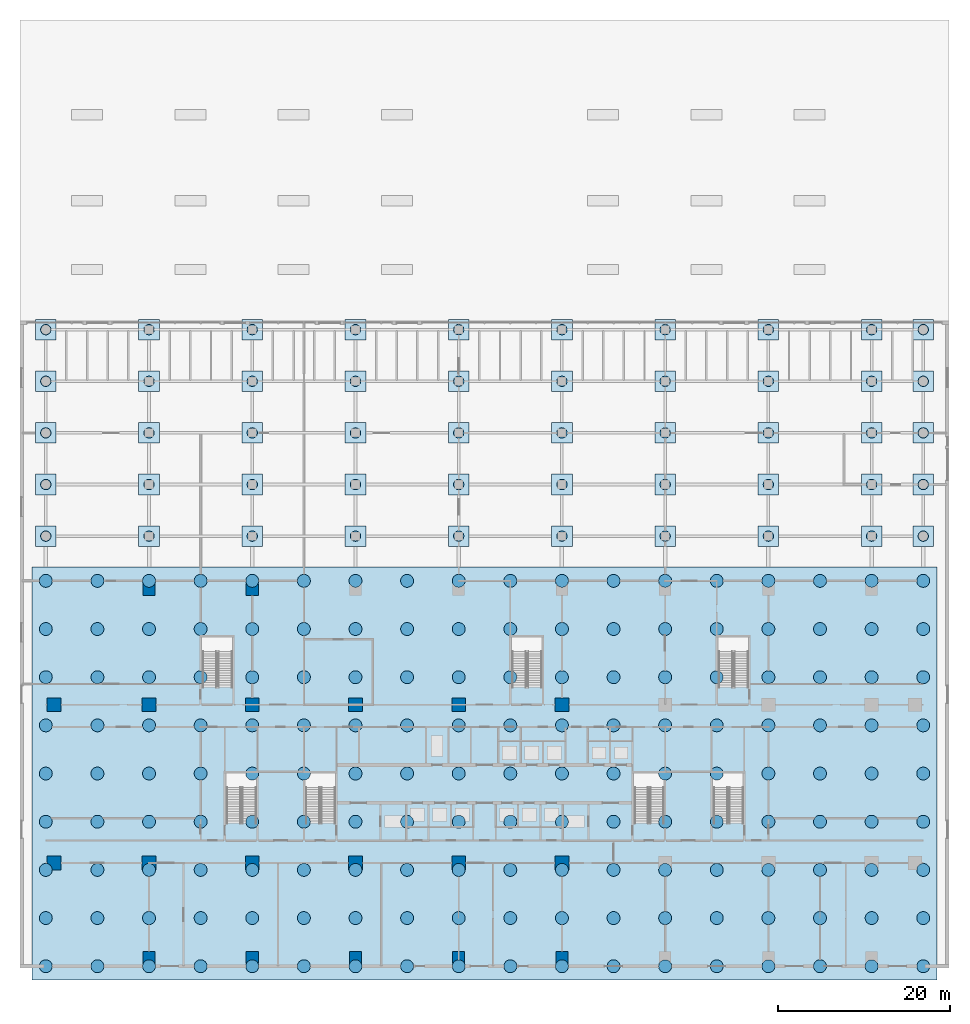
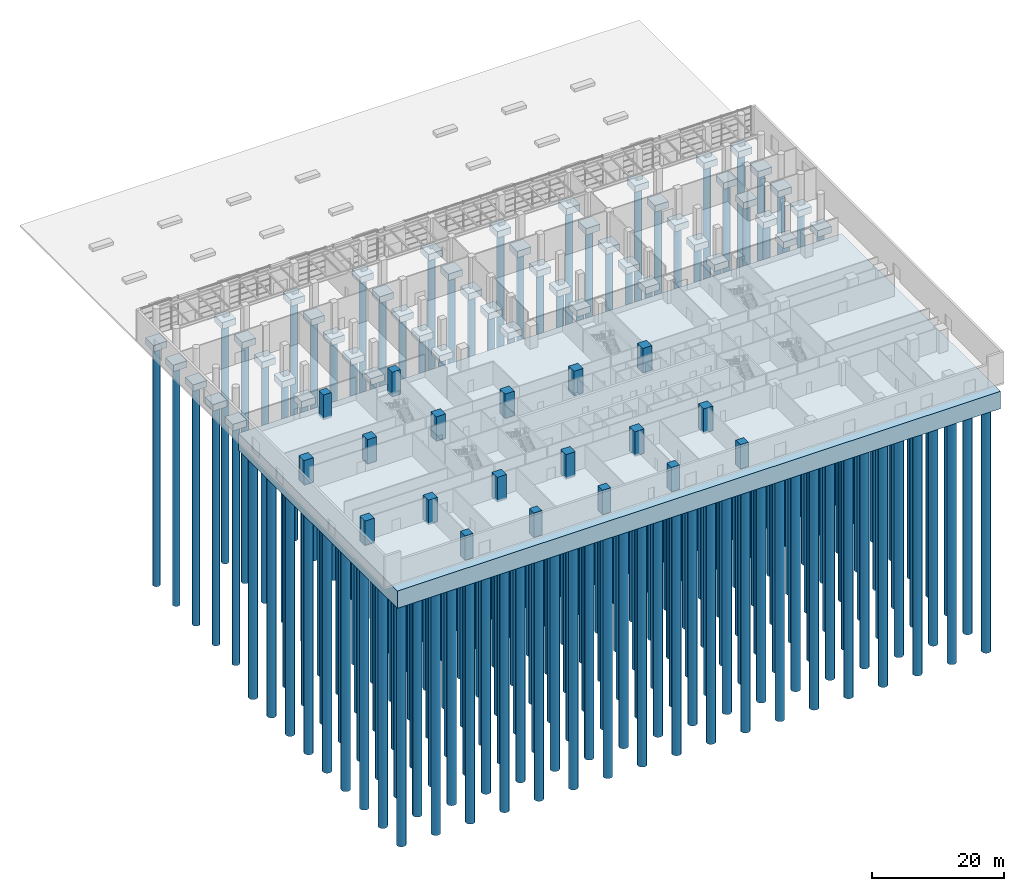
# One storey, part 1 of 27: 212 piles, 51 footings, 19 columns.
"""IFC4 building model written with IfcOpenShell, lengths in metres."""

from ifc_helpers import new_model, si_unit, direction, frame, origin, origin_2d, place, context, subcontext, project, spatial, polyline, rectangle, circle, outline, extrude, source, transform, mapped, material, layer, layer_set, material_profile, profile_set, type_object, element, save


model = new_model("IFC4")

# Units and contexts
model_context = context("Model", 3, precision=1e-05, world=origin(), true_north=direction((0.0, 1.0)))
body_context = subcontext(model_context, "Body", "Model", "MODEL_VIEW")
ifc_project = project(units=[si_unit("LENGTHUNIT", "METRE"), si_unit("AREAUNIT", "SQUARE_METRE"), si_unit("VOLUMEUNIT", "CUBIC_METRE"), si_unit("PLANEANGLEUNIT", "RADIAN"), si_unit("MASSUNIT", "GRAM", prefix="KILO")], contexts=[model_context])

# Site, building, storey
site_placement = place(None, origin())
site = spatial("IfcSite", under=ifc_project, at=site_placement, CompositionType="ELEMENT")
building_placement = place(site_placement, origin())
building = spatial("IfcBuilding", under=site, at=building_placement, Name="Poui Terraces", CompositionType="ELEMENT")
storey_placement = place(building_placement, origin())
storey = spatial("IfcBuildingStorey", under=building, at=storey_placement, Name="L00", CompositionType="ELEMENT", Elevation=0.0)

# Piles
ifc_material_1 = material(Name="Concrete 50 MPa", Category="concrete")
ifc_material_profile_1 = material_profile(ifc_material_1, circle(Radius=0.60009765625, at=origin_2d()), Name="RC D1200")
ifc_profile_set_1 = profile_set([ifc_material_profile_1], Name="Concrete 50 MPa")
pile_type_1 = type_object("IfcPileType", Name="BORED PILE 1200 50MPa", PredefinedType="BORED", material=ifc_profile_set_1)
for number, where, z_axis, x_axis, name in (
    (1, (0.0, 74.0, -1.5), (0.0, 0.0, -1.0), (1.0, 0.0, 0.0), "BORED PILE"),
    (2, (12.0, 74.0, -1.5), (0.0, 0.0, -1.0), (1.0, 0.0, 0.0), "BORED PILE"),
    (3, (24.0, 74.0, -1.5), (0.0, 0.0, -1.0), (1.0, 0.0, 0.0), "BORED PILE"),
    (4, (36.0, 74.0, -1.5), (0.0, 0.0, -1.0), (1.0, 0.0, 0.0), "BORED PILE"),
    (5, (48.0, 74.0, -1.5), (0.0, 0.0, -1.0), (1.0, 0.0, 0.0), "BORED PILE"),
    (6, (60.0, 74.0, -1.5), (0.0, 0.0, -1.0), (1.0, 0.0, 0.0), "BORED PILE"),
    (7, (72.0, 74.0, -1.5), (0.0, 0.0, -1.0), (1.0, 0.0, 0.0), "BORED PILE"),
    (8, (84.0, 74.0, -1.5), (0.0, 0.0, -1.0), (1.0, 0.0, 0.0), "BORED PILE"),
    (9, (96.0, 74.0, -1.5), (0.0, 0.0, -1.0), (1.0, 0.0, 0.0), "BORED PILE"),
    (10, (102.0, 74.0, -1.5), (0.0, 0.0, -1.0), (1.0, 0.0, 0.0), "BORED PILE"),
    (11, (0.0, 68.0, -1.5), (0.0, 0.0, -1.0), (1.0, 0.0, 0.0), "BORED PILE"),
    (12, (12.0, 68.0, -1.5), (0.0, 0.0, -1.0), (1.0, 0.0, 0.0), "BORED PILE"),
    (13, (24.0, 68.0, -1.5), (0.0, 0.0, -1.0), (1.0, 0.0, 0.0), "BORED PILE"),
    (14, (36.0, 68.0, -1.5), (0.0, 0.0, -1.0), (1.0, 0.0, 0.0), "BORED PILE"),
    (15, (48.0, 68.0, -1.5), (0.0, 0.0, -1.0), (1.0, 0.0, 0.0), "BORED PILE"),
    (16, (60.0, 68.0, -1.5), (0.0, 0.0, -1.0), (1.0, 0.0, 0.0), "BORED PILE"),
    (17, (72.0, 68.0, -1.5), (0.0, 0.0, -1.0), (1.0, 0.0, 0.0), "BORED PILE"),
    (18, (84.0, 68.0, -1.5), (0.0, 0.0, -1.0), (1.0, 0.0, 0.0), "BORED PILE"),
    (19, (96.0, 68.0, -1.5), (0.0, 0.0, -1.0), (1.0, 0.0, 0.0), "BORED PILE"),
    (20, (102.0, 68.0, -1.5), (0.0, 0.0, -1.0), (1.0, 0.0, 0.0), "BORED PILE"),
    (21, (0.0, 62.0, -1.5), (0.0, 0.0, -1.0), (1.0, 0.0, 0.0), "BORED PILE"),
    (22, (12.0, 62.0, -1.5), (0.0, 0.0, -1.0), (1.0, 0.0, 0.0), "BORED PILE"),
    (23, (24.0, 62.0, -1.5), (0.0, 0.0, -1.0), (1.0, 0.0, 0.0), "BORED PILE"),
    (24, (36.0, 62.0, -1.5), (0.0, 0.0, -1.0), (1.0, 0.0, 0.0), "BORED PILE"),
    (25, (48.0, 62.0, -1.5), (0.0, 0.0, -1.0), (1.0, 0.0, 0.0), "BORED PILE"),
    (26, (60.0, 62.0, -1.5), (0.0, 0.0, -1.0), (1.0, 0.0, 0.0), "BORED PILE"),
    (27, (72.0, 62.0, -1.5), (0.0, 0.0, -1.0), (1.0, 0.0, 0.0), "BORED PILE"),
    (28, (84.0, 62.0, -1.5), (0.0, 0.0, -1.0), (1.0, 0.0, 0.0), "BORED PILE"),
    (29, (96.0, 62.0, -1.5), (0.0, 0.0, -1.0), (1.0, 0.0, 0.0), "BORED PILE"),
    (30, (102.0, 62.0, -1.5), (0.0, 0.0, -1.0), (1.0, 0.0, 0.0), "BORED PILE"),
    (31, (0.0, 56.0, -1.5), (0.0, 0.0, -1.0), (1.0, 0.0, 0.0), "BORED PILE"),
    (32, (12.0, 56.0, -1.5), (0.0, 0.0, -1.0), (1.0, 0.0, 0.0), "BORED PILE"),
    (33, (24.0, 56.0, -1.5), (0.0, 0.0, -1.0), (1.0, 0.0, 0.0), "BORED PILE"),
    (34, (36.0, 56.0, -1.5), (0.0, 0.0, -1.0), (1.0, 0.0, 0.0), "BORED PILE"),
    (35, (48.0, 56.0, -1.5), (0.0, 0.0, -1.0), (1.0, 0.0, 0.0), "BORED PILE"),
    (36, (60.0, 56.0, -1.5), (0.0, 0.0, -1.0), (1.0, 0.0, 0.0), "BORED PILE"),
    (37, (72.0, 56.0, -1.5), (0.0, 0.0, -1.0), (1.0, 0.0, 0.0), "BORED PILE"),
    (38, (84.0, 56.0, -1.5), (0.0, 0.0, -1.0), (1.0, 0.0, 0.0), "BORED PILE"),
    (39, (96.0, 56.0, -1.5), (0.0, 0.0, -1.0), (1.0, 0.0, 0.0), "BORED PILE"),
    (40, (102.0, 56.0, -1.5), (0.0, 0.0, -1.0), (1.0, 0.0, 0.0), "BORED PILE"),
    (41, (0.0, 50.0, -1.5), (0.0, 0.0, -1.0), (1.0, 0.0, 0.0), "BORED PILE"),
    (42, (12.0, 50.0, -1.5), (0.0, 0.0, -1.0), (1.0, 0.0, 0.0), "BORED PILE"),
    (43, (24.0, 50.0, -1.5), (0.0, 0.0, -1.0), (1.0, 0.0, 0.0), "BORED PILE"),
    (44, (36.0, 50.0, -1.5), (0.0, 0.0, -1.0), (1.0, 0.0, 0.0), "BORED PILE"),
    (45, (48.0, 50.0, -1.5), (0.0, 0.0, -1.0), (1.0, 0.0, 0.0), "BORED PILE"),
    (46, (60.0, 50.0, -1.5), (0.0, 0.0, -1.0), (1.0, 0.0, 0.0), "BORED PILE"),
    (47, (72.0, 50.0, -1.5), (0.0, 0.0, -1.0), (1.0, 0.0, 0.0), "BORED PILE"),
    (48, (84.0, 50.0, -1.5), (0.0, 0.0, -1.0), (1.0, 0.0, 0.0), "BORED PILE"),
    (49, (96.0, 50.0, -1.5), (0.0, 0.0, -1.0), (1.0, 0.0, 0.0), "BORED PILE"),
    (50, (102.0, 50.0, -1.5), (0.0, 0.0, -1.0), (1.0, 0.0, 0.0), "BORED PILE"),
):
    element("IfcPile", number, at=place(storey_placement, frame(where, z_axis=z_axis, x_axis=x_axis)), inside=storey, type_object=pile_type_1, Name=name, PredefinedType="BORED", context=body_context, shape_type="SweptSolid", body=[
        extrude(circle(Radius=0.60009765625, at=origin_2d()), origin(), (0.0, 0.0, 1.0), 44.0),
    ])
ifc_material_profile_2 = material_profile(ifc_material_1, circle(Radius=0.75, at=origin_2d()), Name="RC D1500")
ifc_profile_set_2 = profile_set([ifc_material_profile_2], Name="Concrete 50 MPa")
pile_type_2 = type_object("IfcPileType", Name="BORED PILE 1500 50MPa", PredefinedType="BORED", material=ifc_profile_set_2)
for number, where, z_axis, x_axis, name in (
    (51, (0.0, 0.0, -3.5), (0.0, 0.0, -1.0), (1.0, 0.0, 0.0), "BORED PILE"),
    (52, (0.0, 5.60009765625, -3.5), (0.0, 0.0, -1.0), (1.0, 0.0, 0.0), "BORED PILE"),
    (53, (0.0, 11.199951171875, -3.5), (0.0, 0.0, -1.0), (1.0, 0.0, 0.0), "BORED PILE"),
    (54, (0.0, 16.800048828125, -3.5), (0.0, 0.0, -1.0), (1.0, 0.0, 0.0), "BORED PILE"),
    (55, (0.0, 22.39990234375, -3.5), (0.0, 0.0, -1.0), (1.0, 0.0, 0.0), "BORED PILE"),
    (56, (0.0, 28.0, -3.5), (0.0, 0.0, -1.0), (1.0, 0.0, 0.0), "BORED PILE"),
    (57, (0.0, 33.60009765625, -3.5), (0.0, 0.0, -1.0), (1.0, 0.0, 0.0), "BORED PILE"),
    (58, (0.0, 39.199951171875, -3.5), (0.0, 0.0, -1.0), (1.0, 0.0, 0.0), "BORED PILE"),
    (59, (0.0, 44.800048828125, -3.5), (0.0, 0.0, -1.0), (1.0, 0.0, 0.0), "BORED PILE"),
    (60, (6.0, 0.0, -3.5), (0.0, 0.0, -1.0), (1.0, 0.0, 0.0), "BORED PILE"),
    (61, (6.0, 5.60009765625, -3.5), (0.0, 0.0, -1.0), (1.0, 0.0, 0.0), "BORED PILE"),
    (62, (6.0, 11.199951171875, -3.5), (0.0, 0.0, -1.0), (1.0, 0.0, 0.0), "BORED PILE"),
    (63, (6.0, 16.800048828125, -3.5), (0.0, 0.0, -1.0), (1.0, 0.0, 0.0), "BORED PILE"),
    (64, (6.0, 22.39990234375, -3.5), (0.0, 0.0, -1.0), (1.0, 0.0, 0.0), "BORED PILE"),
    (65, (6.0, 28.0, -3.5), (0.0, 0.0, -1.0), (1.0, 0.0, 0.0), "BORED PILE"),
    (66, (6.0, 33.60009765625, -3.5), (0.0, 0.0, -1.0), (1.0, 0.0, 0.0), "BORED PILE"),
    (67, (6.0, 39.199951171875, -3.5), (0.0, 0.0, -1.0), (1.0, 0.0, 0.0), "BORED PILE"),
    (68, (6.0, 44.800048828125, -3.5), (0.0, 0.0, -1.0), (1.0, 0.0, 0.0), "BORED PILE"),
    (69, (12.0, 0.0, -3.5), (0.0, 0.0, -1.0), (1.0, 0.0, 0.0), "BORED PILE"),
    (70, (12.0, 5.60009765625, -3.5), (0.0, 0.0, -1.0), (1.0, 0.0, 0.0), "BORED PILE"),
    (71, (12.0, 11.199951171875, -3.5), (0.0, 0.0, -1.0), (1.0, 0.0, 0.0), "BORED PILE"),
    (72, (12.0, 16.800048828125, -3.5), (0.0, 0.0, -1.0), (1.0, 0.0, 0.0), "BORED PILE"),
    (73, (12.0, 22.39990234375, -3.5), (0.0, 0.0, -1.0), (1.0, 0.0, 0.0), "BORED PILE"),
    (74, (12.0, 28.0, -3.5), (0.0, 0.0, -1.0), (1.0, 0.0, 0.0), "BORED PILE"),
    (75, (12.0, 33.60009765625, -3.5), (0.0, 0.0, -1.0), (1.0, 0.0, 0.0), "BORED PILE"),
    (76, (12.0, 39.199951171875, -3.5), (0.0, 0.0, -1.0), (1.0, 0.0, 0.0), "BORED PILE"),
    (77, (12.0, 44.800048828125, -3.5), (0.0, 0.0, -1.0), (1.0, 0.0, 0.0), "BORED PILE"),
    (78, (18.0, 0.0, -3.5), (0.0, 0.0, -1.0), (1.0, 0.0, 0.0), "BORED PILE"),
    (79, (18.0, 5.60009765625, -3.5), (0.0, 0.0, -1.0), (1.0, 0.0, 0.0), "BORED PILE"),
    (80, (18.0, 11.199951171875, -3.5), (0.0, 0.0, -1.0), (1.0, 0.0, 0.0), "BORED PILE"),
    (81, (18.0, 16.800048828125, -3.5), (0.0, 0.0, -1.0), (1.0, 0.0, 0.0), "BORED PILE"),
    (82, (18.0, 22.39990234375, -3.5), (0.0, 0.0, -1.0), (1.0, 0.0, 0.0), "BORED PILE"),
    (83, (18.0, 28.0, -3.5), (0.0, 0.0, -1.0), (1.0, 0.0, 0.0), "BORED PILE"),
    (84, (18.0, 33.60009765625, -3.5), (0.0, 0.0, -1.0), (1.0, 0.0, 0.0), "BORED PILE"),
    (85, (18.0, 39.199951171875, -3.5), (0.0, 0.0, -1.0), (1.0, 0.0, 0.0), "BORED PILE"),
    (86, (18.0, 44.800048828125, -3.5), (0.0, 0.0, -1.0), (1.0, 0.0, 0.0), "BORED PILE"),
    (87, (24.0, 0.0, -3.5), (0.0, 0.0, -1.0), (1.0, 0.0, 0.0), "BORED PILE"),
    (88, (24.0, 5.60009765625, -3.5), (0.0, 0.0, -1.0), (1.0, 0.0, 0.0), "BORED PILE"),
    (89, (24.0, 11.199951171875, -3.5), (0.0, 0.0, -1.0), (1.0, 0.0, 0.0), "BORED PILE"),
    (90, (24.0, 16.800048828125, -3.5), (0.0, 0.0, -1.0), (1.0, 0.0, 0.0), "BORED PILE"),
    (91, (24.0, 22.39990234375, -3.5), (0.0, 0.0, -1.0), (1.0, 0.0, 0.0), "BORED PILE"),
    (92, (24.0, 28.0, -3.5), (0.0, 0.0, -1.0), (1.0, 0.0, 0.0), "BORED PILE"),
    (93, (24.0, 33.60009765625, -3.5), (0.0, 0.0, -1.0), (1.0, 0.0, 0.0), "BORED PILE"),
    (94, (24.0, 39.199951171875, -3.5), (0.0, 0.0, -1.0), (1.0, 0.0, 0.0), "BORED PILE"),
    (95, (24.0, 44.800048828125, -3.5), (0.0, 0.0, -1.0), (1.0, 0.0, 0.0), "BORED PILE"),
    (96, (30.0, 0.0, -3.5), (0.0, 0.0, -1.0), (1.0, 0.0, 0.0), "BORED PILE"),
    (97, (30.0, 5.60009765625, -3.5), (0.0, 0.0, -1.0), (1.0, 0.0, 0.0), "BORED PILE"),
    (98, (30.0, 11.199951171875, -3.5), (0.0, 0.0, -1.0), (1.0, 0.0, 0.0), "BORED PILE"),
    (99, (30.0, 16.800048828125, -3.5), (0.0, 0.0, -1.0), (1.0, 0.0, 0.0), "BORED PILE"),
    (100, (30.0, 22.39990234375, -3.5), (0.0, 0.0, -1.0), (1.0, 0.0, 0.0), "BORED PILE"),
    (101, (30.0, 28.0, -3.5), (0.0, 0.0, -1.0), (1.0, 0.0, 0.0), "BORED PILE"),
    (102, (30.0, 33.60009765625, -3.5), (0.0, 0.0, -1.0), (1.0, 0.0, 0.0), "BORED PILE"),
    (103, (30.0, 39.199951171875, -3.5), (0.0, 0.0, -1.0), (1.0, 0.0, 0.0), "BORED PILE"),
    (104, (30.0, 44.800048828125, -3.5), (0.0, 0.0, -1.0), (1.0, 0.0, 0.0), "BORED PILE"),
    (105, (36.0, 0.0, -3.5), (0.0, 0.0, -1.0), (1.0, 0.0, 0.0), "BORED PILE"),
    (106, (36.0, 5.60009765625, -3.5), (0.0, 0.0, -1.0), (1.0, 0.0, 0.0), "BORED PILE"),
    (107, (36.0, 11.199951171875, -3.5), (0.0, 0.0, -1.0), (1.0, 0.0, 0.0), "BORED PILE"),
    (108, (36.0, 16.800048828125, -3.5), (0.0, 0.0, -1.0), (1.0, 0.0, 0.0), "BORED PILE"),
    (109, (36.0, 22.39990234375, -3.5), (0.0, 0.0, -1.0), (1.0, 0.0, 0.0), "BORED PILE"),
    (110, (36.0, 28.0, -3.5), (0.0, 0.0, -1.0), (1.0, 0.0, 0.0), "BORED PILE"),
    (111, (36.0, 33.60009765625, -3.5), (0.0, 0.0, -1.0), (1.0, 0.0, 0.0), "BORED PILE"),
    (112, (36.0, 39.199951171875, -3.5), (0.0, 0.0, -1.0), (1.0, 0.0, 0.0), "BORED PILE"),
    (113, (36.0, 44.800048828125, -3.5), (0.0, 0.0, -1.0), (1.0, 0.0, 0.0), "BORED PILE"),
    (114, (42.0, 0.0, -3.5), (0.0, 0.0, -1.0), (1.0, 0.0, 0.0), "BORED PILE"),
    (115, (42.0, 5.60009765625, -3.5), (0.0, 0.0, -1.0), (1.0, 0.0, 0.0), "BORED PILE"),
    (116, (42.0, 11.199951171875, -3.5), (0.0, 0.0, -1.0), (1.0, 0.0, 0.0), "BORED PILE"),
    (117, (42.0, 16.800048828125, -3.5), (0.0, 0.0, -1.0), (1.0, 0.0, 0.0), "BORED PILE"),
    (118, (42.0, 22.39990234375, -3.5), (0.0, 0.0, -1.0), (1.0, 0.0, 0.0), "BORED PILE"),
    (119, (42.0, 28.0, -3.5), (0.0, 0.0, -1.0), (1.0, 0.0, 0.0), "BORED PILE"),
    (120, (42.0, 33.60009765625, -3.5), (0.0, 0.0, -1.0), (1.0, 0.0, 0.0), "BORED PILE"),
    (121, (42.0, 39.199951171875, -3.5), (0.0, 0.0, -1.0), (1.0, 0.0, 0.0), "BORED PILE"),
    (122, (42.0, 44.800048828125, -3.5), (0.0, 0.0, -1.0), (1.0, 0.0, 0.0), "BORED PILE"),
    (123, (48.0, 0.0, -3.5), (0.0, 0.0, -1.0), (1.0, 0.0, 0.0), "BORED PILE"),
    (124, (48.0, 5.60009765625, -3.5), (0.0, 0.0, -1.0), (1.0, 0.0, 0.0), "BORED PILE"),
    (125, (48.0, 11.199951171875, -3.5), (0.0, 0.0, -1.0), (1.0, 0.0, 0.0), "BORED PILE"),
    (126, (48.0, 16.800048828125, -3.5), (0.0, 0.0, -1.0), (1.0, 0.0, 0.0), "BORED PILE"),
    (127, (48.0, 22.39990234375, -3.5), (0.0, 0.0, -1.0), (1.0, 0.0, 0.0), "BORED PILE"),
    (128, (48.0, 28.0, -3.5), (0.0, 0.0, -1.0), (1.0, 0.0, 0.0), "BORED PILE"),
    (129, (48.0, 33.60009765625, -3.5), (0.0, 0.0, -1.0), (1.0, 0.0, 0.0), "BORED PILE"),
    (130, (48.0, 39.199951171875, -3.5), (0.0, 0.0, -1.0), (1.0, 0.0, 0.0), "BORED PILE"),
    (131, (48.0, 44.800048828125, -3.5), (0.0, 0.0, -1.0), (1.0, 0.0, 0.0), "BORED PILE"),
    (132, (54.0, 0.0, -3.5), (0.0, 0.0, -1.0), (1.0, 0.0, 0.0), "BORED PILE"),
    (133, (54.0, 5.60009765625, -3.5), (0.0, 0.0, -1.0), (1.0, 0.0, 0.0), "BORED PILE"),
    (134, (54.0, 11.199951171875, -3.5), (0.0, 0.0, -1.0), (1.0, 0.0, 0.0), "BORED PILE"),
    (135, (54.0, 16.800048828125, -3.5), (0.0, 0.0, -1.0), (1.0, 0.0, 0.0), "BORED PILE"),
    (136, (54.0, 22.39990234375, -3.5), (0.0, 0.0, -1.0), (1.0, 0.0, 0.0), "BORED PILE"),
    (137, (54.0, 28.0, -3.5), (0.0, 0.0, -1.0), (1.0, 0.0, 0.0), "BORED PILE"),
    (138, (54.0, 33.60009765625, -3.5), (0.0, 0.0, -1.0), (1.0, 0.0, 0.0), "BORED PILE"),
    (139, (54.0, 39.199951171875, -3.5), (0.0, 0.0, -1.0), (1.0, 0.0, 0.0), "BORED PILE"),
    (140, (54.0, 44.800048828125, -3.5), (0.0, 0.0, -1.0), (1.0, 0.0, 0.0), "BORED PILE"),
    (141, (60.0, 0.0, -3.5), (0.0, 0.0, -1.0), (1.0, 0.0, 0.0), "BORED PILE"),
    (142, (60.0, 5.60009765625, -3.5), (0.0, 0.0, -1.0), (1.0, 0.0, 0.0), "BORED PILE"),
    (143, (60.0, 11.199951171875, -3.5), (0.0, 0.0, -1.0), (1.0, 0.0, 0.0), "BORED PILE"),
    (144, (60.0, 16.800048828125, -3.5), (0.0, 0.0, -1.0), (1.0, 0.0, 0.0), "BORED PILE"),
    (145, (60.0, 22.39990234375, -3.5), (0.0, 0.0, -1.0), (1.0, 0.0, 0.0), "BORED PILE"),
    (146, (60.0, 28.0, -3.5), (0.0, 0.0, -1.0), (1.0, 0.0, 0.0), "BORED PILE"),
    (147, (60.0, 33.60009765625, -3.5), (0.0, 0.0, -1.0), (1.0, 0.0, 0.0), "BORED PILE"),
    (148, (60.0, 39.199951171875, -3.5), (0.0, 0.0, -1.0), (1.0, 0.0, 0.0), "BORED PILE"),
    (149, (60.0, 44.800048828125, -3.5), (0.0, 0.0, -1.0), (1.0, 0.0, 0.0), "BORED PILE"),
    (150, (66.0, 0.0, -3.5), (0.0, 0.0, -1.0), (1.0, 0.0, 0.0), "BORED PILE"),
    (151, (66.0, 5.60009765625, -3.5), (0.0, 0.0, -1.0), (1.0, 0.0, 0.0), "BORED PILE"),
    (152, (66.0, 11.199951171875, -3.5), (0.0, 0.0, -1.0), (1.0, 0.0, 0.0), "BORED PILE"),
    (153, (66.0, 16.800048828125, -3.5), (0.0, 0.0, -1.0), (1.0, 0.0, 0.0), "BORED PILE"),
    (154, (66.0, 22.39990234375, -3.5), (0.0, 0.0, -1.0), (1.0, 0.0, 0.0), "BORED PILE"),
    (155, (66.0, 28.0, -3.5), (0.0, 0.0, -1.0), (1.0, 0.0, 0.0), "BORED PILE"),
    (156, (66.0, 33.60009765625, -3.5), (0.0, 0.0, -1.0), (1.0, 0.0, 0.0), "BORED PILE"),
    (157, (66.0, 39.199951171875, -3.5), (0.0, 0.0, -1.0), (1.0, 0.0, 0.0), "BORED PILE"),
    (158, (66.0, 44.800048828125, -3.5), (0.0, 0.0, -1.0), (1.0, 0.0, 0.0), "BORED PILE"),
    (159, (72.0, 0.0, -3.5), (0.0, 0.0, -1.0), (1.0, 0.0, 0.0), "BORED PILE"),
    (160, (72.0, 5.60009765625, -3.5), (0.0, 0.0, -1.0), (1.0, 0.0, 0.0), "BORED PILE"),
    (161, (72.0, 11.199951171875, -3.5), (0.0, 0.0, -1.0), (1.0, 0.0, 0.0), "BORED PILE"),
    (162, (72.0, 16.800048828125, -3.5), (0.0, 0.0, -1.0), (1.0, 0.0, 0.0), "BORED PILE"),
    (163, (72.0, 22.39990234375, -3.5), (0.0, 0.0, -1.0), (1.0, 0.0, 0.0), "BORED PILE"),
    (164, (72.0, 28.0, -3.5), (0.0, 0.0, -1.0), (1.0, 0.0, 0.0), "BORED PILE"),
    (165, (72.0, 33.60009765625, -3.5), (0.0, 0.0, -1.0), (1.0, 0.0, 0.0), "BORED PILE"),
    (166, (72.0, 39.199951171875, -3.5), (0.0, 0.0, -1.0), (1.0, 0.0, 0.0), "BORED PILE"),
    (167, (72.0, 44.800048828125, -3.5), (0.0, 0.0, -1.0), (1.0, 0.0, 0.0), "BORED PILE"),
    (168, (78.0, 0.0, -3.5), (0.0, 0.0, -1.0), (1.0, 0.0, 0.0), "BORED PILE"),
    (169, (78.0, 5.60009765625, -3.5), (0.0, 0.0, -1.0), (1.0, 0.0, 0.0), "BORED PILE"),
    (170, (78.0, 11.199951171875, -3.5), (0.0, 0.0, -1.0), (1.0, 0.0, 0.0), "BORED PILE"),
    (171, (78.0, 16.800048828125, -3.5), (0.0, 0.0, -1.0), (1.0, 0.0, 0.0), "BORED PILE"),
    (172, (78.0, 22.39990234375, -3.5), (0.0, 0.0, -1.0), (1.0, 0.0, 0.0), "BORED PILE"),
    (173, (78.0, 28.0, -3.5), (0.0, 0.0, -1.0), (1.0, 0.0, 0.0), "BORED PILE"),
    (174, (78.0, 33.60009765625, -3.5), (0.0, 0.0, -1.0), (1.0, 0.0, 0.0), "BORED PILE"),
    (175, (78.0, 39.199951171875, -3.5), (0.0, 0.0, -1.0), (1.0, 0.0, 0.0), "BORED PILE"),
    (176, (78.0, 44.800048828125, -3.5), (0.0, 0.0, -1.0), (1.0, 0.0, 0.0), "BORED PILE"),
    (177, (84.0, 0.0, -3.5), (0.0, 0.0, -1.0), (1.0, 0.0, 0.0), "BORED PILE"),
    (178, (84.0, 5.60009765625, -3.5), (0.0, 0.0, -1.0), (1.0, 0.0, 0.0), "BORED PILE"),
    (179, (84.0, 11.199951171875, -3.5), (0.0, 0.0, -1.0), (1.0, 0.0, 0.0), "BORED PILE"),
    (180, (84.0, 16.800048828125, -3.5), (0.0, 0.0, -1.0), (1.0, 0.0, 0.0), "BORED PILE"),
    (181, (84.0, 22.39990234375, -3.5), (0.0, 0.0, -1.0), (1.0, 0.0, 0.0), "BORED PILE"),
    (182, (84.0, 28.0, -3.5), (0.0, 0.0, -1.0), (1.0, 0.0, 0.0), "BORED PILE"),
    (183, (84.0, 33.60009765625, -3.5), (0.0, 0.0, -1.0), (1.0, 0.0, 0.0), "BORED PILE"),
    (184, (84.0, 39.199951171875, -3.5), (0.0, 0.0, -1.0), (1.0, 0.0, 0.0), "BORED PILE"),
    (185, (84.0, 44.800048828125, -3.5), (0.0, 0.0, -1.0), (1.0, 0.0, 0.0), "BORED PILE"),
    (186, (90.0, 0.0, -3.5), (0.0, 0.0, -1.0), (1.0, 0.0, 0.0), "BORED PILE"),
    (187, (90.0, 5.60009765625, -3.5), (0.0, 0.0, -1.0), (1.0, 0.0, 0.0), "BORED PILE"),
    (188, (90.0, 11.199951171875, -3.5), (0.0, 0.0, -1.0), (1.0, 0.0, 0.0), "BORED PILE"),
    (189, (90.0, 16.800048828125, -3.5), (0.0, 0.0, -1.0), (1.0, 0.0, 0.0), "BORED PILE"),
    (190, (90.0, 22.39990234375, -3.5), (0.0, 0.0, -1.0), (1.0, 0.0, 0.0), "BORED PILE"),
    (191, (90.0, 28.0, -3.5), (0.0, 0.0, -1.0), (1.0, 0.0, 0.0), "BORED PILE"),
    (192, (90.0, 33.60009765625, -3.5), (0.0, 0.0, -1.0), (1.0, 0.0, 0.0), "BORED PILE"),
    (193, (90.0, 39.199951171875, -3.5), (0.0, 0.0, -1.0), (1.0, 0.0, 0.0), "BORED PILE"),
    (194, (90.0, 44.800048828125, -3.5), (0.0, 0.0, -1.0), (1.0, 0.0, 0.0), "BORED PILE"),
    (195, (96.0, 0.0, -3.5), (0.0, 0.0, -1.0), (1.0, 0.0, 0.0), "BORED PILE"),
    (196, (96.0, 5.60009765625, -3.5), (0.0, 0.0, -1.0), (1.0, 0.0, 0.0), "BORED PILE"),
    (197, (96.0, 11.199951171875, -3.5), (0.0, 0.0, -1.0), (1.0, 0.0, 0.0), "BORED PILE"),
    (198, (96.0, 16.800048828125, -3.5), (0.0, 0.0, -1.0), (1.0, 0.0, 0.0), "BORED PILE"),
    (199, (96.0, 22.39990234375, -3.5), (0.0, 0.0, -1.0), (1.0, 0.0, 0.0), "BORED PILE"),
    (200, (96.0, 28.0, -3.5), (0.0, 0.0, -1.0), (1.0, 0.0, 0.0), "BORED PILE"),
    (201, (96.0, 33.60009765625, -3.5), (0.0, 0.0, -1.0), (1.0, 0.0, 0.0), "BORED PILE"),
    (202, (96.0, 39.199951171875, -3.5), (0.0, 0.0, -1.0), (1.0, 0.0, 0.0), "BORED PILE"),
    (203, (96.0, 44.800048828125, -3.5), (0.0, 0.0, -1.0), (1.0, 0.0, 0.0), "BORED PILE"),
    (204, (102.0, 0.0, -3.5), (0.0, 0.0, -1.0), (1.0, 0.0, 0.0), "BORED PILE"),
    (205, (102.0, 5.60009765625, -3.5), (0.0, 0.0, -1.0), (1.0, 0.0, 0.0), "BORED PILE"),
    (206, (102.0, 11.199951171875, -3.5), (0.0, 0.0, -1.0), (1.0, 0.0, 0.0), "BORED PILE"),
    (207, (102.0, 16.800048828125, -3.5), (0.0, 0.0, -1.0), (1.0, 0.0, 0.0), "BORED PILE"),
    (208, (102.0, 22.39990234375, -3.5), (0.0, 0.0, -1.0), (1.0, 0.0, 0.0), "BORED PILE"),
    (209, (102.0, 28.0, -3.5), (0.0, 0.0, -1.0), (1.0, 0.0, 0.0), "BORED PILE"),
    (210, (102.0, 33.60009765625, -3.5), (0.0, 0.0, -1.0), (1.0, 0.0, 0.0), "BORED PILE"),
    (211, (102.0, 39.199951171875, -3.5), (0.0, 0.0, -1.0), (1.0, 0.0, 0.0), "BORED PILE"),
    (212, (102.0, 44.800048828125, -3.5), (0.0, 0.0, -1.0), (1.0, 0.0, 0.0), "BORED PILE"),
):
    element("IfcPile", number, at=place(storey_placement, frame(where, z_axis=z_axis, x_axis=x_axis)), inside=storey, type_object=pile_type_2, Name=name, PredefinedType="BORED", context=body_context, shape_type="SweptSolid", body=[
        extrude(circle(Radius=0.75, at=origin_2d()), origin(), (0.0, 0.0, 1.0), 45.0),
    ])

# Footings
ifc_layer = layer(ifc_material_1, 3.199951171875)
ifc_layer_set = layer_set([ifc_layer], Name="Concrete 50 MPa")
footing_type_1 = type_object("IfcFootingType", Name="PILED RAFT 3200 50MPa", PredefinedType="PILE_CAP", material=ifc_layer_set)
footing_placement = place(storey_placement, frame((0.0, 0.0, -3.5)))
element("IfcFooting", 213, at=footing_placement, inside=storey, type_object=footing_type_1, Name="PILED RAFT", PredefinedType="PILE_CAP", context=body_context, shape_type="SweptSolid", body=[
    extrude(outline(polyline([(-1.60009765625, -1.60009765625), (103.60009765625, -1.60009765625), (103.60009765625, 46.39990234375), (-1.60009765625, 46.39990234375), (-1.60009765625, -1.60009765625)])), origin(), (0.0, 0.0, 1.0), 3.199951171875),
])
footing_type_2 = type_object("IfcFootingType", Name="PILE CAP 2400 50MPa", PredefinedType="PILE_CAP", material=ifc_material_1)
shared_shape_1 = source(origin(), body_context, "Body", "SweptSolid", [
    extrude(rectangle(XDim=2.39990234375, YDim=2.39990234375, at=origin_2d()), origin(), (0.0, 0.0, 1.0), 1.199951171875),
])
for number, where, z_axis, x_axis, name in (
    (214, (0.0, 74.0, -1.5), (0.0, 0.0, 1.0), (1.0, 0.0, 0.0), "PILE CAP P0-1R"),
    (215, (12.0, 74.0, -1.5), (0.0, 0.0, 1.0), (1.0, 0.0, 0.0), "PILE CAP P0-2"),
    (216, (24.0, 74.0, -1.5), (0.0, 0.0, 1.0), (1.0, 0.0, 0.0), "PILE CAP P0-3"),
    (217, (36.0, 74.0, -1.5), (0.0, 0.0, 1.0), (1.0, 0.0, 0.0), "PILE CAP P0-4"),
    (218, (48.0, 74.0, -1.5), (0.0, 0.0, 1.0), (1.0, 0.0, 0.0), "PILE CAP P0-5"),
    (219, (60.0, 74.0, -1.5), (0.0, 0.0, 1.0), (1.0, 0.0, 0.0), "PILE CAP P0-6"),
    (220, (72.0, 74.0, -1.5), (0.0, 0.0, 1.0), (1.0, 0.0, 0.0), "PILE CAP P0-7"),
    (221, (84.0, 74.0, -1.5), (0.0, 0.0, 1.0), (1.0, 0.0, 0.0), "PILE CAP P0-8"),
    (222, (96.0, 74.0, -1.5), (0.0, 0.0, 1.0), (1.0, 0.0, 0.0), "PILE CAP P0-9"),
    (223, (102.0, 74.0, -1.5), (0.0, 0.0, 1.0), (1.0, 0.0, 0.0), "PILE CAP P0-10R"),
    (224, (0.0, 68.0, -1.5), (0.0, 0.0, 1.0), (1.0, 0.0, 0.0), "PILE CAP P1-1R"),
    (225, (12.0, 68.0, -1.5), (0.0, 0.0, 1.0), (1.0, 0.0, 0.0), "PILE CAP P1-2"),
    (226, (24.0, 68.0, -1.5), (0.0, 0.0, 1.0), (1.0, 0.0, 0.0), "PILE CAP P1-3"),
    (227, (36.0, 68.0, -1.5), (0.0, 0.0, 1.0), (1.0, 0.0, 0.0), "PILE CAP P1-4"),
    (228, (48.0, 68.0, -1.5), (0.0, 0.0, 1.0), (1.0, 0.0, 0.0), "PILE CAP P1-5"),
    (229, (60.0, 68.0, -1.5), (0.0, 0.0, 1.0), (1.0, 0.0, 0.0), "PILE CAP P1-6"),
    (230, (72.0, 68.0, -1.5), (0.0, 0.0, 1.0), (1.0, 0.0, 0.0), "PILE CAP P1-7"),
    (231, (84.0, 68.0, -1.5), (0.0, 0.0, 1.0), (1.0, 0.0, 0.0), "PILE CAP P1-8"),
    (232, (96.0, 68.0, -1.5), (0.0, 0.0, 1.0), (1.0, 0.0, 0.0), "PILE CAP P1-9"),
    (233, (102.0, 68.0, -1.5), (0.0, 0.0, 1.0), (1.0, 0.0, 0.0), "PILE CAP P1-10R"),
    (234, (0.0, 62.0, -1.5), (0.0, 0.0, 1.0), (1.0, 0.0, 0.0), "PILE CAP P2-1R"),
    (235, (12.0, 62.0, -1.5), (0.0, 0.0, 1.0), (1.0, 0.0, 0.0), "PILE CAP P2-2"),
    (236, (24.0, 62.0, -1.5), (0.0, 0.0, 1.0), (1.0, 0.0, 0.0), "PILE CAP P2-3"),
    (237, (36.0, 62.0, -1.5), (0.0, 0.0, 1.0), (1.0, 0.0, 0.0), "PILE CAP P2-4"),
    (238, (48.0, 62.0, -1.5), (0.0, 0.0, 1.0), (1.0, 0.0, 0.0), "PILE CAP P2-5"),
    (239, (60.0, 62.0, -1.5), (0.0, 0.0, 1.0), (1.0, 0.0, 0.0), "PILE CAP P2-6"),
    (240, (72.0, 62.0, -1.5), (0.0, 0.0, 1.0), (1.0, 0.0, 0.0), "PILE CAP P2-7"),
    (241, (84.0, 62.0, -1.5), (0.0, 0.0, 1.0), (1.0, 0.0, 0.0), "PILE CAP P2-8"),
    (242, (96.0, 62.0, -1.5), (0.0, 0.0, 1.0), (1.0, 0.0, 0.0), "PILE CAP P2-9"),
    (243, (102.0, 62.0, -1.5), (0.0, 0.0, 1.0), (1.0, 0.0, 0.0), "PILE CAP P2-10R"),
    (244, (0.0, 56.0, -1.5), (0.0, 0.0, 1.0), (1.0, 0.0, 0.0), "PILE CAP P3-1R"),
    (245, (12.0, 56.0, -1.5), (0.0, 0.0, 1.0), (1.0, 0.0, 0.0), "PILE CAP P3-2"),
    (246, (24.0, 56.0, -1.5), (0.0, 0.0, 1.0), (1.0, 0.0, 0.0), "PILE CAP P3-3"),
    (247, (36.0, 56.0, -1.5), (0.0, 0.0, 1.0), (1.0, 0.0, 0.0), "PILE CAP P3-4"),
    (248, (48.0, 56.0, -1.5), (0.0, 0.0, 1.0), (1.0, 0.0, 0.0), "PILE CAP P3-5"),
    (249, (60.0, 56.0, -1.5), (0.0, 0.0, 1.0), (1.0, 0.0, 0.0), "PILE CAP P3-6"),
    (250, (72.0, 56.0, -1.5), (0.0, 0.0, 1.0), (1.0, 0.0, 0.0), "PILE CAP P3-7"),
    (251, (84.0, 56.0, -1.5), (0.0, 0.0, 1.0), (1.0, 0.0, 0.0), "PILE CAP P3-8"),
    (252, (96.0, 56.0, -1.5), (0.0, 0.0, 1.0), (1.0, 0.0, 0.0), "PILE CAP P3-9"),
    (253, (102.0, 56.0, -1.5), (0.0, 0.0, 1.0), (1.0, 0.0, 0.0), "PILE CAP P3-10R"),
    (254, (0.0, 50.0, -1.5), (0.0, 0.0, 1.0), (1.0, 0.0, 0.0), "PILE CAP P4-1R"),
    (255, (12.0, 50.0, -1.5), (0.0, 0.0, 1.0), (1.0, 0.0, 0.0), "PILE CAP P4-2"),
    (256, (24.0, 50.0, -1.5), (0.0, 0.0, 1.0), (1.0, 0.0, 0.0), "PILE CAP P4-3"),
    (257, (36.0, 50.0, -1.5), (0.0, 0.0, 1.0), (1.0, 0.0, 0.0), "PILE CAP P4-4"),
    (258, (48.0, 50.0, -1.5), (0.0, 0.0, 1.0), (1.0, 0.0, 0.0), "PILE CAP P4-5"),
    (259, (60.0, 50.0, -1.5), (0.0, 0.0, 1.0), (1.0, 0.0, 0.0), "PILE CAP P4-6"),
    (260, (72.0, 50.0, -1.5), (0.0, 0.0, 1.0), (1.0, 0.0, 0.0), "PILE CAP P4-7"),
    (261, (84.0, 50.0, -1.5), (0.0, 0.0, 1.0), (1.0, 0.0, 0.0), "PILE CAP P4-8"),
    (262, (96.0, 50.0, -1.5), (0.0, 0.0, 1.0), (1.0, 0.0, 0.0), "PILE CAP P4-9"),
    (263, (102.0, 50.0, -1.5), (0.0, 0.0, 1.0), (1.0, 0.0, 0.0), "PILE CAP P4-10R"),
):
    element("IfcFooting", number, at=place(storey_placement, frame(where, z_axis=z_axis, x_axis=x_axis)), inside=storey, type_object=footing_type_2, Name=name, PredefinedType="PILE_CAP", context=body_context, shape_type="MappedRepresentation", body=[
        mapped(shared_shape_1, transform((0.0, 0.0, 0.0))),
    ])

# Columns
ifc_material_2 = material(Name="Concrete 80 MPa", Category="concrete")
ifc_material_profile_3 = material_profile(ifc_material_2, rectangle(XDim=1.60009765625, YDim=1.60009765625, at=origin_2d()), Name="RC 1600x1600")
ifc_profile_set_3 = profile_set([ifc_material_profile_3], Name="Concrete 80 MPa")
column_type_1 = type_object("IfcColumnType", Name="COLUMN 1600x1600 80MPa", PredefinedType="COLUMN", material=ifc_profile_set_3)
shared_shape_2 = source(origin(), body_context, "Body", "SweptSolid", [
    extrude(rectangle(XDim=1.60009765625, YDim=1.60009765625, at=origin_2d()), origin(), (0.0, 0.0, 1.0), 4.5),
])
for number, where, z_axis, x_axis, name in (
    (264, (0.949951171875, 12.0, -0.300048828125), (0.0, 0.0, 1.0), (1.0, 0.0, 0.0), "COLUMN 1B"),
    (265, (0.949951171875, 30.39990234375, -0.300048828125), (0.0, 0.0, 1.0), (1.0, 0.0, 0.0), "COLUMN 1E"),
    (266, (12.0, 12.0, -0.300048828125), (0.0, 0.0, 1.0), (1.0, 0.0, 0.0), "COLUMN 2B"),
    (267, (12.0, 30.39990234375, -0.300048828125), (0.0, 0.0, 1.0), (1.0, 0.0, 0.0), "COLUMN 2E"),
    (268, (24.0, 12.0, -0.300048828125), (0.0, 0.0, 1.0), (1.0, 0.0, 0.0), "COLUMN 3B"),
    (269, (24.0, 30.39990234375, -0.300048828125), (0.0, 0.0, 1.0), (1.0, 0.0, 0.0), "COLUMN 3E"),
    (270, (36.0, 12.0, -0.300048828125), (0.0, 0.0, 1.0), (1.0, 0.0, 0.0), "COLUMN 4B"),
    (271, (36.0, 30.39990234375, -0.300048828125), (0.0, 0.0, 1.0), (1.0, 0.0, 0.0), "COLUMN 4E"),
    (272, (48.0, 12.0, -0.300048828125), (0.0, 0.0, 1.0), (1.0, 0.0, 0.0), "COLUMN 5B"),
    (273, (48.0, 30.39990234375, -0.300048828125), (0.0, 0.0, 1.0), (1.0, 0.0, 0.0), "COLUMN 5E"),
    (274, (60.0, 12.0, -0.300048828125), (0.0, 0.0, 1.0), (1.0, 0.0, 0.0), "COLUMN 6B"),
    (275, (60.0, 30.39990234375, -0.300048828125), (0.0, 0.0, 1.0), (1.0, 0.0, 0.0), "COLUMN 6E"),
):
    element("IfcColumn", number, at=place(storey_placement, frame(where, z_axis=z_axis, x_axis=x_axis)), inside=storey, type_object=column_type_1, Name=name, PredefinedType="COLUMN", context=body_context, shape_type="MappedRepresentation", body=[
        mapped(shared_shape_2, transform((0.0, 0.0, 0.0))),
    ])
ifc_material_profile_4 = material_profile(ifc_material_2, rectangle(XDim=1.39990234375, YDim=1.39990234375, at=origin_2d()), Name="RC 1400x1400")
ifc_profile_set_4 = profile_set([ifc_material_profile_4], Name="Concrete 80 MPa")
column_type_2 = type_object("IfcColumnType", Name="COLUMN 1400x1400 80MPa", PredefinedType="COLUMN", material=ifc_profile_set_4)
shared_shape_3 = source(origin(), body_context, "Body", "SweptSolid", [
    extrude(rectangle(XDim=1.39990234375, YDim=1.39990234375, at=origin_2d()), origin(), (0.0, 0.0, 1.0), 4.5),
])
for number, where, z_axis, x_axis, name in (
    (276, (12.0, 1.0, -0.300048828125), (0.0, 0.0, 1.0), (1.0, 0.0, 0.0), "COLUMN 2S"),
    (277, (12.0, 43.800048828125, -0.300048828125), (0.0, 0.0, 1.0), (1.0, 0.0, 0.0), "COLUMN 2N"),
    (278, (24.0, 1.0, -0.300048828125), (0.0, 0.0, 1.0), (1.0, 0.0, 0.0), "COLUMN 3S"),
    (279, (24.0, 43.800048828125, -0.300048828125), (0.0, 0.0, 1.0), (1.0, 0.0, 0.0), "COLUMN 3N"),
    (280, (36.0, 1.0, -0.300048828125), (0.0, 0.0, 1.0), (1.0, 0.0, 0.0), "COLUMN 4S"),
    (281, (48.0, 1.0, -0.300048828125), (0.0, 0.0, 1.0), (1.0, 0.0, 0.0), "COLUMN 5S"),
    (282, (60.0, 1.0, -0.300048828125), (0.0, 0.0, 1.0), (1.0, 0.0, 0.0), "COLUMN 6S"),
):
    element("IfcColumn", number, at=place(storey_placement, frame(where, z_axis=z_axis, x_axis=x_axis)), inside=storey, type_object=column_type_2, Name=name, PredefinedType="COLUMN", context=body_context, shape_type="MappedRepresentation", body=[
        mapped(shared_shape_3, transform((0.0, 0.0, 0.0))),
    ])

save(model, "model.ifc")
